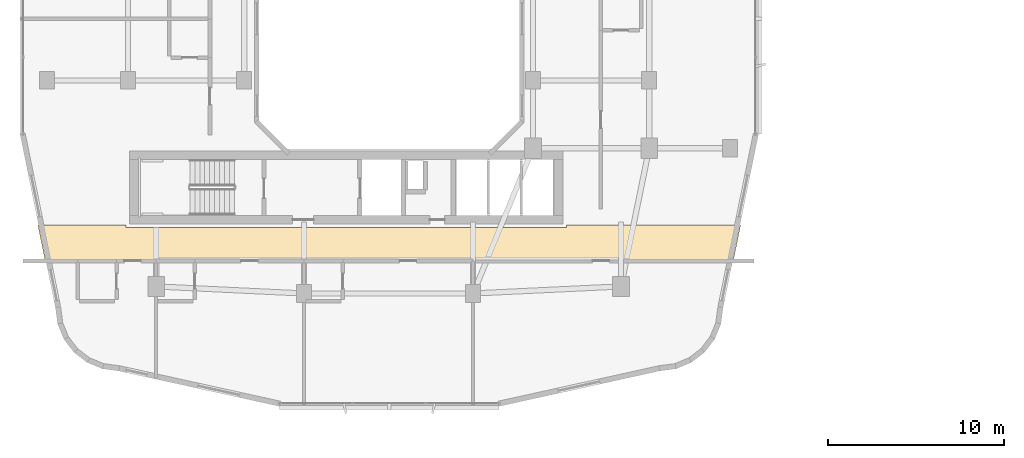
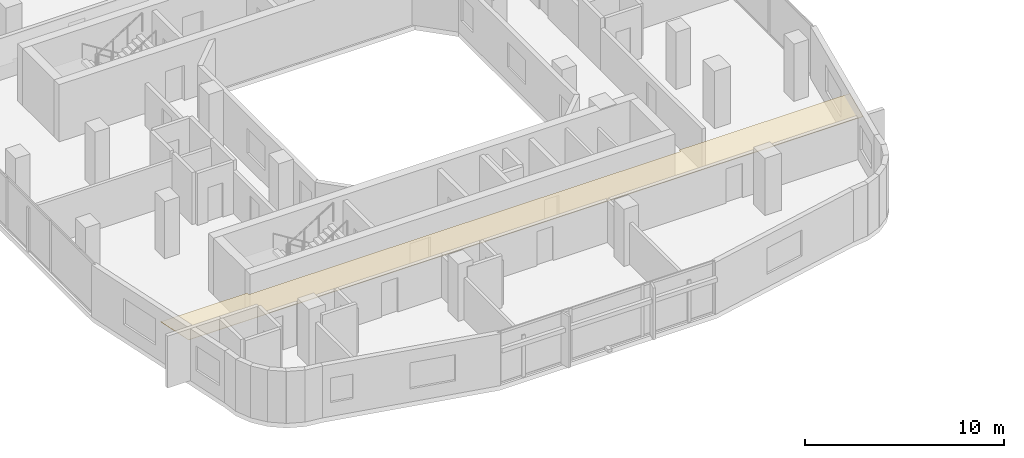
# One storey, part 22 of 25: 1 covering.
"""IFC4 building model written with IfcOpenShell, lengths in metres."""

from ifc_helpers import new_model, si_unit, derived_unit, direction, frame, origin, place, context, subcontext, project, spatial, polyline, outline, extrude, material, layer, layer_set, type_object, element, save


model = new_model("IFC4")

# Units and contexts
model_context = context("Model", 3, precision=1e-05, world=origin(), true_north=direction((0.0, 1.0)))
body_context = subcontext(model_context, "Body", "Model", "MODEL_VIEW")
ifc_project = project(units=[si_unit("LENGTHUNIT", "METRE"), si_unit("AREAUNIT", "SQUARE_METRE"), si_unit("VOLUMEUNIT", "CUBIC_METRE"), si_unit("PLANEANGLEUNIT", "RADIAN"), si_unit("MASSUNIT", "GRAM", prefix="KILO"), derived_unit("THERMALTRANSMITTANCEUNIT", [(si_unit("POWERUNIT", "WATT"), 1), (si_unit("LENGTHUNIT", "METRE"), -2), (si_unit("THERMODYNAMICTEMPERATUREUNIT", "KELVIN"), -1)])], contexts=[model_context])

# Site, building, storey
site_placement = place(None, origin())
site = spatial("IfcSite", under=ifc_project, at=site_placement, CompositionType="ELEMENT")
building_placement = place(site_placement, origin())
building = spatial("IfcBuilding", under=site, at=building_placement, Name="Kivonza Crest Hotel", CompositionType="ELEMENT")
storey_placement = place(building_placement, frame((0.0, 0.0, 87.0)))
storey = spatial("IfcBuildingStorey", under=building, at=storey_placement, Name="L23", CompositionType="ELEMENT", Elevation=87.0)

# Covering
ifc_material = material(Name="Mineral-fibre acoustic ceiling tile", Category="gypsum")
ifc_layer = layer(ifc_material, 0.02490234375)
ifc_layer_set = layer_set([ifc_layer], Name="Mineral-fibre acoustic ceiling tile")
covering_type = type_object("IfcCoveringType", Name="CV-CEIL-ACOU", PredefinedType="CEILING", material=ifc_layer_set)
covering_placement = place(storey_placement, frame((0.0, 0.0, 2.449951171875)))
element("IfcCovering", 1, at=covering_placement, inside=storey, type_object=covering_type, Name="L23 Hotel South Guest Corridor suspended ceiling", PredefinedType="CEILING", context=body_context, shape_type="SweptSolid", body=[
    extrude(outline(polyline([(40.573974609375, 11.2099609375), (40.998046875, 13.2900390625), (31.10009765625, 13.2900390625), (31.10009765625, 13.139892578125), (6.10009765625, 13.139892578125), (6.10009765625, 13.2900390625), (1.08203125, 13.2900390625), (1.506103515625, 11.2099609375), (40.573974609375, 11.2099609375)])), origin(), (0.0, 0.0, 1.0), 0.025146484375),
])

save(model, "model.ifc")
